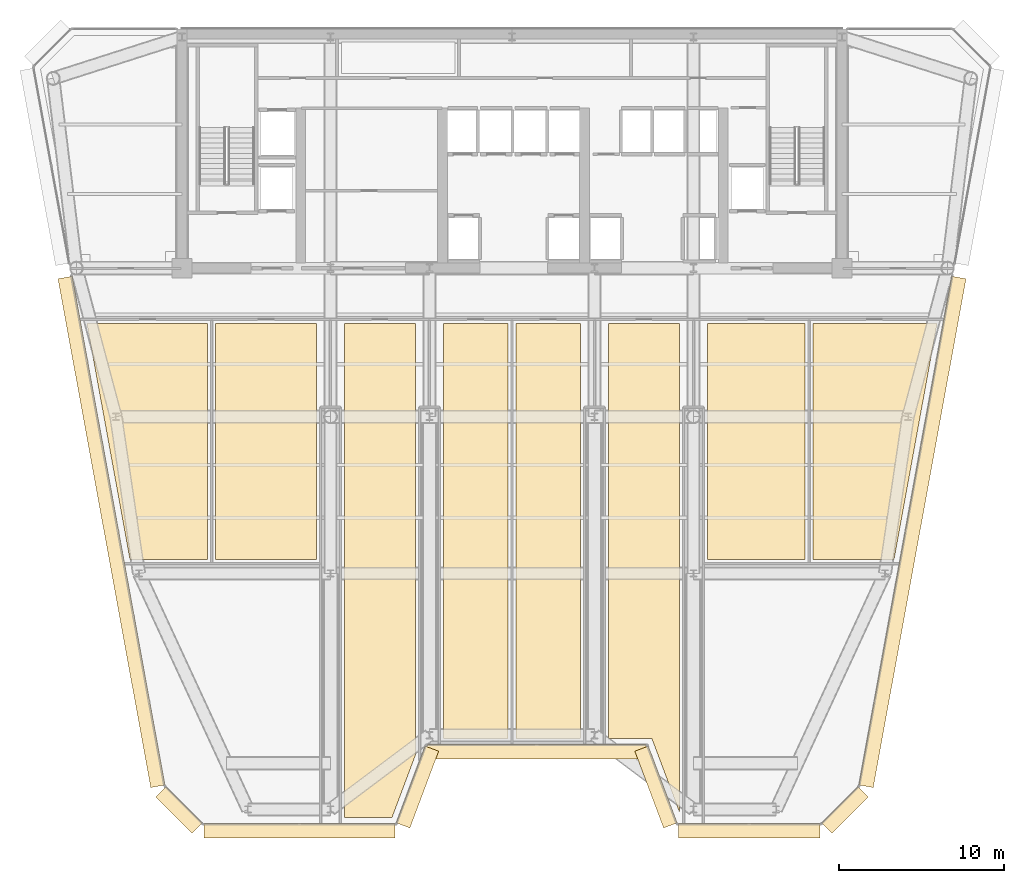
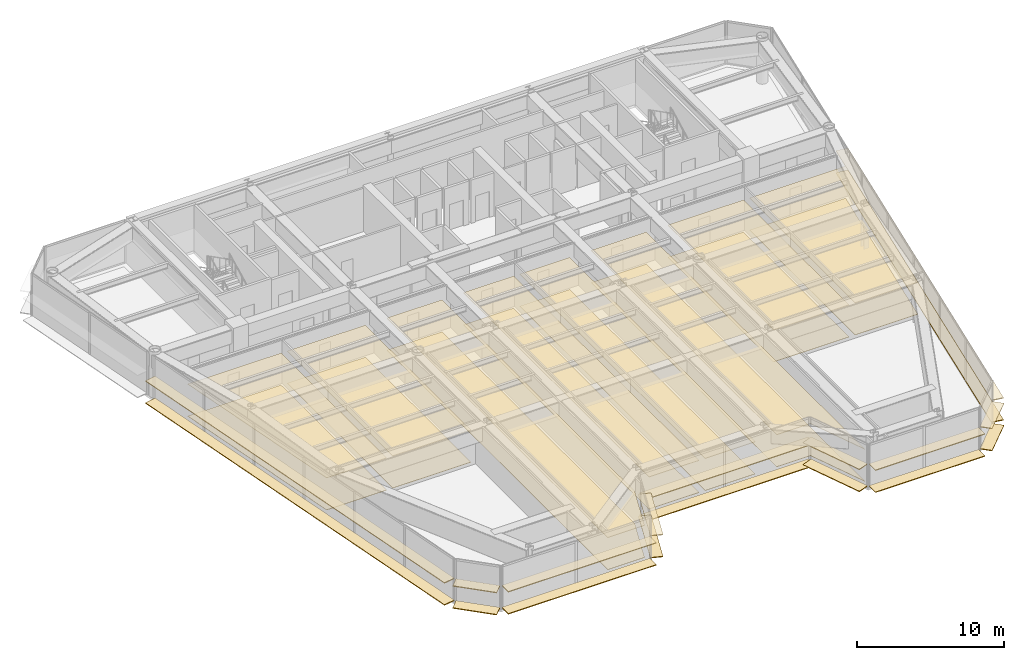
# One storey, part 14 of 17: 34 coverings.
"""IFC4 building model written with IfcOpenShell, lengths in metres."""

from ifc_helpers import new_model, si_unit, direction, frame, origin, origin_2d, place, context, subcontext, project, spatial, polyline, rectangle, outline, extrude, source, transform, mapped, material, layer, layer_set, type_object, element, save


model = new_model("IFC4")

# Units and contexts
model_context = context("Model", 3, precision=1e-05, world=origin(), true_north=direction((0.0, 1.0)))
body_context = subcontext(model_context, "Body", "Model", "MODEL_VIEW")
ifc_project = project(units=[si_unit("LENGTHUNIT", "METRE"), si_unit("AREAUNIT", "SQUARE_METRE"), si_unit("VOLUMEUNIT", "CUBIC_METRE"), si_unit("PLANEANGLEUNIT", "RADIAN"), si_unit("MASSUNIT", "GRAM", prefix="KILO")], contexts=[model_context])

# Site, building, storey
site_placement = place(None, origin())
site = spatial("IfcSite", under=ifc_project, at=site_placement, CompositionType="ELEMENT")
building_placement = place(site_placement, origin())
building = spatial("IfcBuilding", under=site, at=building_placement, Name="Vaeldorn Concourse Tower", CompositionType="ELEMENT")
storey_placement = place(building_placement, frame((0.0, 0.0, 176.60009765625)))
storey = spatial("IfcBuildingStorey", under=building, at=storey_placement, Name="L45", CompositionType="ELEMENT", Elevation=176.60009765625)

# Coverings
ifc_material_1 = material(Name="Acoustic Mineral Fibre Board", Category="gypsum")
ifc_layer_1 = layer(ifc_material_1, 0.0400390625)
ifc_layer_set_1 = layer_set([ifc_layer_1], Name="Acoustic Mineral Fibre Board")
covering_type_1 = type_object("IfcCoveringType", Name="COV-CEIL-ACOUSTIC", PredefinedType="CEILING", material=ifc_layer_set_1)
covering_1_placement = place(storey_placement, frame((0.0, 0.0, 2.64990234375)))
element("IfcCovering", 1, at=covering_1_placement, inside=storey, type_object=covering_type_1, Name="Suspended Acoustic Ceiling L45-5", PredefinedType="CEILING", context=body_context, shape_type="SweptSolid", body=[
    extrude(outline(polyline([(15.56005859375, 33.159912109375), (15.56005859375, 18.840087890625), (10.853271484375, 18.840087890625), (8.2412109375, 33.159912109375), (15.56005859375, 33.159912109375)])), origin(), (0.0, 0.0, 1.0), 0.0400390625),
])
covering_2_placement = place(storey_placement, frame((0.0, 0.0, 2.64990234375)))
element("IfcCovering", 2, at=covering_2_placement, inside=storey, type_object=covering_type_1, Name="Suspended Acoustic Ceiling L45-6", PredefinedType="CEILING", context=body_context, shape_type="SweptSolid", body=[
    extrude(outline(polyline([(16.0400390625, 33.159912109375), (22.159912109375, 33.159912109375), (22.159912109375, 18.840087890625), (16.0400390625, 18.840087890625), (16.0400390625, 33.159912109375)])), origin(), (0.0, 0.0, 1.0), 0.0400390625),
])
covering_3_placement = place(storey_placement, frame((0.0, 0.0, 2.64990234375)))
element("IfcCovering", 3, at=covering_3_placement, inside=storey, type_object=covering_type_1, Name="Suspended Acoustic Ceiling L45-7", PredefinedType="CEILING", context=body_context, shape_type="SweptSolid", body=[
    extrude(outline(polyline([(23.840087890625, 3.199951171875), (23.840087890625, 33.159912109375), (28.159912109375, 33.159912109375), (28.159912109375, 7.032470703125), (26.722900390625, 3.199951171875), (23.840087890625, 3.199951171875)])), origin(), (0.0, 0.0, 1.0), 0.0400390625),
])
covering_4_placement = place(storey_placement, frame((0.0, 0.0, 2.64990234375)))
element("IfcCovering", 4, at=covering_4_placement, inside=storey, type_object=covering_type_1, Name="Suspended Acoustic Ceiling L45-8", PredefinedType="CEILING", context=body_context, shape_type="SweptSolid", body=[
    extrude(outline(polyline([(29.840087890625, 33.159912109375), (33.760009765625, 33.159912109375), (33.760009765625, 8.0), (29.840087890625, 8.0), (29.840087890625, 33.159912109375)])), origin(), (0.0, 0.0, 1.0), 0.0400390625),
])
covering_5_placement = place(storey_placement, frame((0.0, 0.0, 2.64990234375)))
element("IfcCovering", 5, at=covering_5_placement, inside=storey, type_object=covering_type_1, Name="Suspended Acoustic Ceiling L45-9", PredefinedType="CEILING", context=body_context, shape_type="SweptSolid", body=[
    extrude(outline(polyline([(34.239990234375, 33.159912109375), (38.159912109375, 33.159912109375), (38.159912109375, 8.0), (34.239990234375, 8.0), (34.239990234375, 33.159912109375)])), origin(), (0.0, 0.0, 1.0), 0.0400390625),
])
covering_6_placement = place(storey_placement, frame((0.0, 0.0, 2.64990234375)))
element("IfcCovering", 6, at=covering_6_placement, inside=storey, type_object=covering_type_1, Name="Suspended Acoustic Ceiling L45-10", PredefinedType="CEILING", context=body_context, shape_type="SweptSolid", body=[
    extrude(outline(polyline([(39.840087890625, 8.0), (39.840087890625, 33.159912109375), (44.159912109375, 33.159912109375), (44.159912109375, 3.5126953125), (42.477294921875, 8.0), (39.840087890625, 8.0)])), origin(), (0.0, 0.0, 1.0), 0.0400390625),
])
covering_7_placement = place(storey_placement, frame((0.0, 0.0, 2.64990234375)))
element("IfcCovering", 7, at=covering_7_placement, inside=storey, type_object=covering_type_1, Name="Suspended Acoustic Ceiling L45-11", PredefinedType="CEILING", context=body_context, shape_type="SweptSolid", body=[
    extrude(outline(polyline([(45.840087890625, 33.159912109375), (51.760009765625, 33.159912109375), (51.760009765625, 18.840087890625), (45.840087890625, 18.840087890625), (45.840087890625, 33.159912109375)])), origin(), (0.0, 0.0, 1.0), 0.0400390625),
])
covering_8_placement = place(storey_placement, frame((0.0, 0.0, 2.64990234375)))
element("IfcCovering", 8, at=covering_8_placement, inside=storey, type_object=covering_type_1, Name="Suspended Acoustic Ceiling L45-12", PredefinedType="CEILING", context=body_context, shape_type="SweptSolid", body=[
    extrude(outline(polyline([(52.239990234375, 18.840087890625), (52.239990234375, 33.159912109375), (59.7587890625, 33.159912109375), (57.146728515625, 18.840087890625), (52.239990234375, 18.840087890625)])), origin(), (0.0, 0.0, 1.0), 0.0400390625),
])
ifc_material_2 = material(Name="Honed Limestone Terrazzo Flooring", Category="masonry")
ifc_layer_2 = layer(ifc_material_2, 0.0400390625)
ifc_layer_set_2 = layer_set([ifc_layer_2], Name="Honed Limestone Terrazzo Flooring")
covering_type_2 = type_object("IfcCoveringType", Name="COV-FLOOR-STONE", PredefinedType="FLOORING", material=ifc_layer_set_2)
covering_9_placement = place(storey_placement, origin())
element("IfcCovering", 9, at=covering_9_placement, inside=storey, type_object=covering_type_2, Name="Floor Finish Covering L45-5", PredefinedType="FLOORING", context=body_context, shape_type="SweptSolid", body=[
    extrude(outline(polyline([(15.56005859375, 33.159912109375), (15.56005859375, 18.840087890625), (10.853271484375, 18.840087890625), (8.2412109375, 33.159912109375), (15.56005859375, 33.159912109375)])), origin(), (0.0, 0.0, 1.0), 0.02978515625),
])
covering_10_placement = place(storey_placement, origin())
element("IfcCovering", 10, at=covering_10_placement, inside=storey, type_object=covering_type_2, Name="Floor Finish Covering L45-6", PredefinedType="FLOORING", context=body_context, shape_type="SweptSolid", body=[
    extrude(outline(polyline([(16.0400390625, 33.159912109375), (22.159912109375, 33.159912109375), (22.159912109375, 18.840087890625), (16.0400390625, 18.840087890625), (16.0400390625, 33.159912109375)])), origin(), (0.0, 0.0, 1.0), 0.02978515625),
])
covering_11_placement = place(storey_placement, origin())
element("IfcCovering", 11, at=covering_11_placement, inside=storey, type_object=covering_type_2, Name="Floor Finish Covering L45-7", PredefinedType="FLOORING", context=body_context, shape_type="SweptSolid", body=[
    extrude(outline(polyline([(23.840087890625, 3.199951171875), (23.840087890625, 33.159912109375), (28.159912109375, 33.159912109375), (28.159912109375, 7.032470703125), (26.722900390625, 3.199951171875), (23.840087890625, 3.199951171875)])), origin(), (0.0, 0.0, 1.0), 0.02978515625),
])
covering_12_placement = place(storey_placement, origin())
element("IfcCovering", 12, at=covering_12_placement, inside=storey, type_object=covering_type_2, Name="Floor Finish Covering L45-8", PredefinedType="FLOORING", context=body_context, shape_type="SweptSolid", body=[
    extrude(outline(polyline([(29.840087890625, 33.159912109375), (33.760009765625, 33.159912109375), (33.760009765625, 8.0), (29.840087890625, 8.0), (29.840087890625, 33.159912109375)])), origin(), (0.0, 0.0, 1.0), 0.02978515625),
])
covering_13_placement = place(storey_placement, origin())
element("IfcCovering", 13, at=covering_13_placement, inside=storey, type_object=covering_type_2, Name="Floor Finish Covering L45-9", PredefinedType="FLOORING", context=body_context, shape_type="SweptSolid", body=[
    extrude(outline(polyline([(34.239990234375, 33.159912109375), (38.159912109375, 33.159912109375), (38.159912109375, 8.0), (34.239990234375, 8.0), (34.239990234375, 33.159912109375)])), origin(), (0.0, 0.0, 1.0), 0.02978515625),
])
covering_14_placement = place(storey_placement, origin())
element("IfcCovering", 14, at=covering_14_placement, inside=storey, type_object=covering_type_2, Name="Floor Finish Covering L45-10", PredefinedType="FLOORING", context=body_context, shape_type="SweptSolid", body=[
    extrude(outline(polyline([(39.840087890625, 8.0), (39.840087890625, 33.159912109375), (44.159912109375, 33.159912109375), (44.159912109375, 3.5126953125), (42.477294921875, 8.0), (39.840087890625, 8.0)])), origin(), (0.0, 0.0, 1.0), 0.02978515625),
])
covering_15_placement = place(storey_placement, origin())
element("IfcCovering", 15, at=covering_15_placement, inside=storey, type_object=covering_type_2, Name="Floor Finish Covering L45-11", PredefinedType="FLOORING", context=body_context, shape_type="SweptSolid", body=[
    extrude(outline(polyline([(45.840087890625, 33.159912109375), (51.760009765625, 33.159912109375), (51.760009765625, 18.840087890625), (45.840087890625, 18.840087890625), (45.840087890625, 33.159912109375)])), origin(), (0.0, 0.0, 1.0), 0.02978515625),
])
covering_16_placement = place(storey_placement, origin())
element("IfcCovering", 16, at=covering_16_placement, inside=storey, type_object=covering_type_2, Name="Floor Finish Covering L45-12", PredefinedType="FLOORING", context=body_context, shape_type="SweptSolid", body=[
    extrude(outline(polyline([(52.239990234375, 18.840087890625), (52.239990234375, 33.159912109375), (59.7587890625, 33.159912109375), (57.146728515625, 18.840087890625), (52.239990234375, 18.840087890625)])), origin(), (0.0, 0.0, 1.0), 0.02978515625),
])
ifc_material_3 = material(Name="Anodised Bronze Aluminium", Category="aluminium")
ifc_layer_3 = layer(ifc_material_3, 0.06494140625)
ifc_layer_set_3 = layer_set([ifc_layer_3], Name="Anodised Bronze Aluminium")
covering_type_3 = type_object("IfcCoveringType", Name="SD-BRONZE-SUNSHADE", PredefinedType="USERDEFINED", material=ifc_layer_set_3)
shared_shape_1 = source(origin(), body_context, "Body", "SweptSolid", [
    extrude(rectangle(XDim=4.96630859375, YDim=0.8798828125, at=origin_2d()), origin(), (0.0, 0.0, 1.0), 0.06494140625),
])
for number, where, z_axis, x_axis, name in (
    (17, (28.2744140625, 5.0595703125, 0.04736328125), (0.0, 0.0, 1.0), (0.351122702609, 0.936329454686, 0.0), "Horizontal Bronze Sunshade L45-E02.1.1"),
    (18, (28.2744140625, 5.0595703125, 1.867431640625), (0.0, 0.0, 1.0), (0.351122702609, 0.936329454686, 0.0), "Horizontal Bronze Sunshade L45-E02.1.2"),
    (19, (42.7255859375, 5.0595703125, 0.04736328125), (0.0, 0.0, 1.0), (0.351122702609, -0.936329454686, 0.0), "Horizontal Bronze Sunshade L45-E04.1.1"),
    (20, (42.7255859375, 5.0595703125, 1.867431640625), (0.0, 0.0, 1.0), (0.351122702609, -0.936329454686, 0.0), "Horizontal Bronze Sunshade L45-E04.1.2"),
):
    element("IfcCovering", number, at=place(storey_placement, frame(where, z_axis=z_axis, x_axis=x_axis)), inside=storey, type_object=covering_type_3, Name=name, ObjectType="SUNSHADE", PredefinedType="USERDEFINED", context=body_context, shape_type="MappedRepresentation", body=[
        mapped(shared_shape_1, transform((0.0, 0.0, 0.0), scale=1.0)),
    ])
shared_shape_2 = source(origin(), body_context, "Body", "SweptSolid", [
    extrude(rectangle(XDim=13.239990234375, YDim=0.8798828125, at=origin_2d()), origin(), (0.0, 0.0, 1.0), 0.06494140625),
])
for number, where, z_axis, x_axis, name in (
    (21, (35.5, 7.199951171875, 0.04736328125), (0.0, 0.0, 1.0), (1.0, 0.0, 0.0), "Horizontal Bronze Sunshade L45-E03.1.1"),
    (22, (35.5, 7.199951171875, 1.867431640625), (0.0, 0.0, 1.0), (1.0, 0.0, 0.0), "Horizontal Bronze Sunshade L45-E03.1.2"),
):
    element("IfcCovering", number, at=place(storey_placement, frame(where, z_axis=z_axis, x_axis=x_axis)), inside=storey, type_object=covering_type_3, Name=name, ObjectType="SUNSHADE", PredefinedType="USERDEFINED", context=body_context, shape_type="MappedRepresentation", body=[
        mapped(shared_shape_2, transform((0.0, 0.0, 0.0), scale=1.0)),
    ])
shared_shape_3 = source(origin(), body_context, "Body", "SweptSolid", [
    extrude(rectangle(XDim=3.0927734375, YDim=0.8798828125, at=origin_2d()), origin(), (0.0, 0.0, 1.0), 0.06494140625),
])
for number, where, z_axis, x_axis, name in (
    (23, (54.1796875, 3.667236328125, 0.04736328125), (0.0, 0.0, 1.0), (0.707106781187, 0.707106781187, 0.0), "Horizontal Bronze Sunshade L45-E06.1.1"),
    (24, (54.1796875, 3.667236328125, 1.867431640625), (0.0, 0.0, 1.0), (0.707106781187, 0.707106781187, 0.0), "Horizontal Bronze Sunshade L45-E06.1.2"),
    (25, (13.8203125, 3.667236328125, 0.04736328125), (0.0, 0.0, 1.0), (0.707106781187, -0.707106781187, 0.0), "Horizontal Bronze Sunshade L45-E12.1.1"),
    (26, (13.8203125, 3.667236328125, 1.867431640625), (0.0, 0.0, 1.0), (0.707106781187, -0.707106781187, 0.0), "Horizontal Bronze Sunshade L45-E12.1.2"),
):
    element("IfcCovering", number, at=place(storey_placement, frame(where, z_axis=z_axis, x_axis=x_axis)), inside=storey, type_object=covering_type_3, Name=name, ObjectType="SUNSHADE", PredefinedType="USERDEFINED", context=body_context, shape_type="MappedRepresentation", body=[
        mapped(shared_shape_3, transform((0.0, 0.0, 0.0), scale=1.0)),
    ])
shared_shape_4 = source(origin(), body_context, "Body", "SweptSolid", [
    extrude(rectangle(XDim=11.5869140625, YDim=0.8798828125, at=origin_2d()), origin(), (0.0, 0.0, 1.0), 0.06494140625),
])
for number, where, z_axis, x_axis, name in (
    (27, (21.12646484375, 2.39990234375, 0.04736328125), (0.0, 0.0, 1.0), (1.0, 0.0, 0.0), "Horizontal Bronze Sunshade L45-E01.1.1"),
    (28, (21.12646484375, 2.39990234375, 1.867431640625), (0.0, 0.0, 1.0), (1.0, 0.0, 0.0), "Horizontal Bronze Sunshade L45-E01.1.2"),
):
    element("IfcCovering", number, at=place(storey_placement, frame(where, z_axis=z_axis, x_axis=x_axis)), inside=storey, type_object=covering_type_3, Name=name, ObjectType="SUNSHADE", PredefinedType="USERDEFINED", context=body_context, shape_type="MappedRepresentation", body=[
        mapped(shared_shape_4, transform((0.0, 0.0, 0.0), scale=1.0)),
    ])
shared_shape_5 = source(origin(), body_context, "Body", "SweptSolid", [
    extrude(rectangle(XDim=8.5869140625, YDim=0.8798828125, at=origin_2d()), origin(), (0.0, 0.0, 1.0), 0.06494140625),
])
for number, where, z_axis, x_axis, name in (
    (29, (48.37353515625, 2.39990234375, 0.04736328125), (0.0, 0.0, 1.0), (1.0, 0.0, 0.0), "Horizontal Bronze Sunshade L45-E05.1.1"),
    (30, (48.37353515625, 2.39990234375, 1.867431640625), (0.0, 0.0, 1.0), (1.0, 0.0, 0.0), "Horizontal Bronze Sunshade L45-E05.1.2"),
):
    element("IfcCovering", number, at=place(storey_placement, frame(where, z_axis=z_axis, x_axis=x_axis)), inside=storey, type_object=covering_type_3, Name=name, ObjectType="SUNSHADE", PredefinedType="USERDEFINED", context=body_context, shape_type="MappedRepresentation", body=[
        mapped(shared_shape_5, transform((0.0, 0.0, 0.0), scale=1.0)),
    ])
shared_shape_6 = source(origin(), body_context, "Body", "SweptSolid", [
    extrude(rectangle(XDim=31.334716796875, YDim=0.8798828125, at=origin_2d()), origin(), (0.0, 0.0, 1.0), 0.06494140625),
])
for number, where, z_axis, x_axis, name in (
    (31, (58.266357421875, 20.52001953125, 0.04736328125), (0.0, 0.0, 1.0), (0.179437543025, 0.983769367359, 0.0), "Horizontal Bronze Sunshade L45-E07.1.1"),
    (32, (58.266357421875, 20.52001953125, 1.867431640625), (0.0, 0.0, 1.0), (0.179437543025, 0.983769367359, 0.0), "Horizontal Bronze Sunshade L45-E07.1.2"),
    (33, (9.733642578125, 20.52001953125, 0.04736328125), (0.0, 0.0, 1.0), (0.179437543025, -0.983769367359, 0.0), "Horizontal Bronze Sunshade L45-E11.2.1"),
    (34, (9.733642578125, 20.52001953125, 1.867431640625), (0.0, 0.0, 1.0), (0.179437543025, -0.983769367359, 0.0), "Horizontal Bronze Sunshade L45-E11.2.2"),
):
    element("IfcCovering", number, at=place(storey_placement, frame(where, z_axis=z_axis, x_axis=x_axis)), inside=storey, type_object=covering_type_3, Name=name, ObjectType="SUNSHADE", PredefinedType="USERDEFINED", context=body_context, shape_type="MappedRepresentation", body=[
        mapped(shared_shape_6, transform((0.0, 0.0, 0.0), scale=1.0)),
    ])

save(model, "model.ifc")
